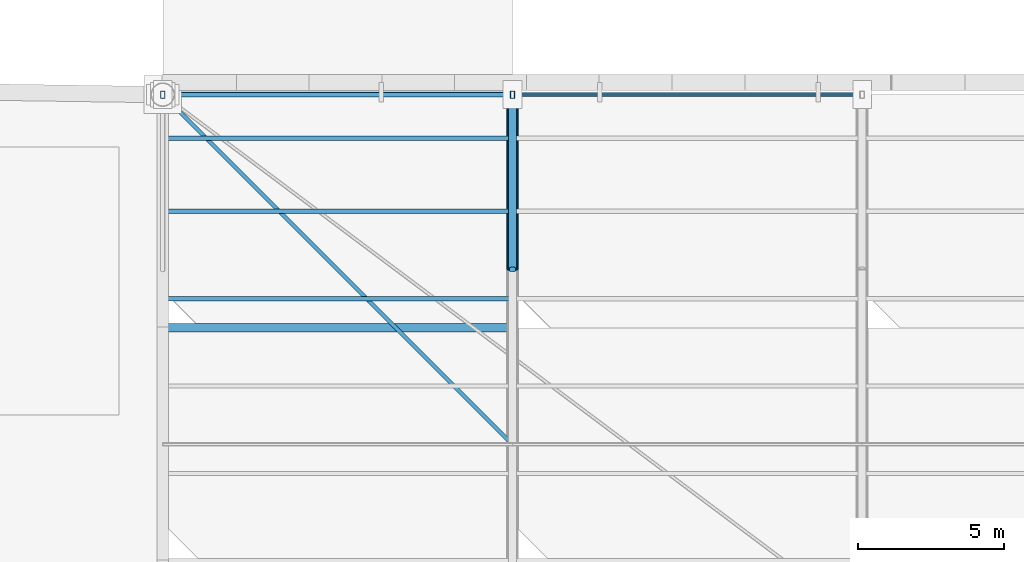
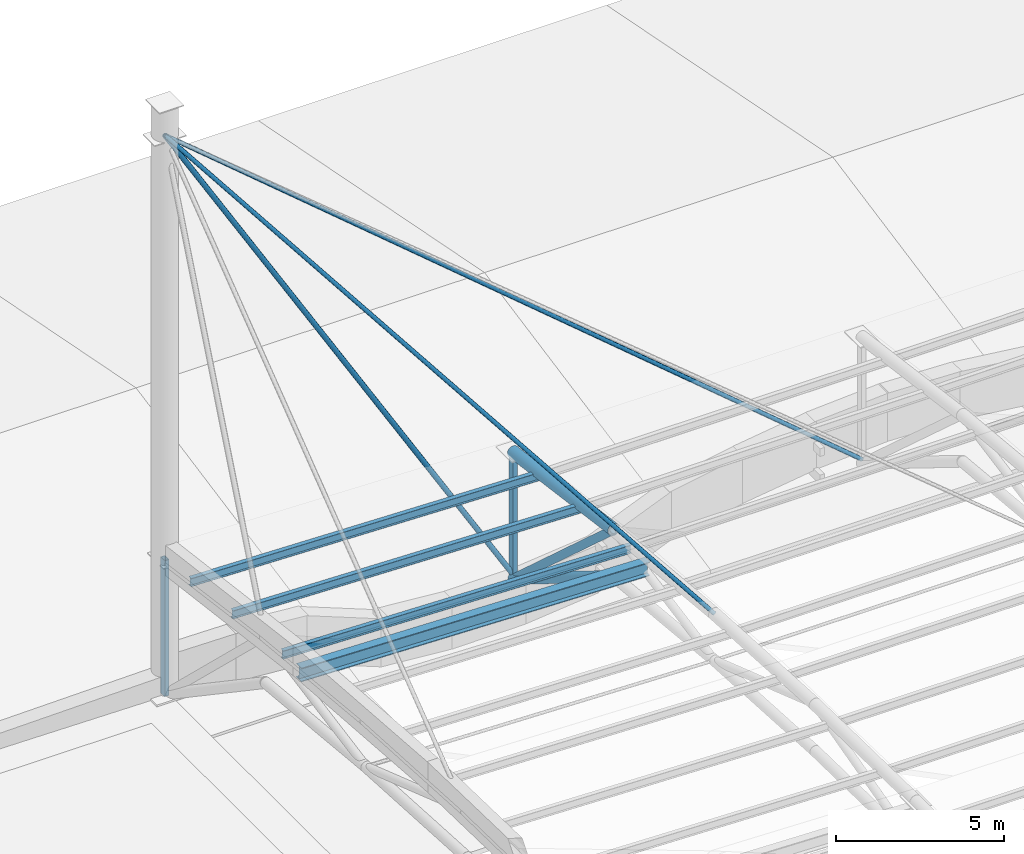
# One storey, part 6 of 29: 11 members, 1 beam.
"""IFC4 building model written with IfcOpenShell, lengths in metres."""

from ifc_helpers import new_model, si_unit, direction, frame, origin, origin_2d, place, context, subcontext, project, spatial, hollow_rectangle, hollow_circle, i_section, extrude, material, material_profile, profile_set, type_object, element, save


model = new_model("IFC4")

# Units and contexts
model_context = context("Model", 3, precision=1e-05, world=origin(), true_north=direction((0.0, 1.0)))
body_context = subcontext(model_context, "Body", "Model", "MODEL_VIEW")
ifc_project = project(units=[si_unit("LENGTHUNIT", "METRE"), si_unit("AREAUNIT", "SQUARE_METRE"), si_unit("VOLUMEUNIT", "CUBIC_METRE"), si_unit("PLANEANGLEUNIT", "RADIAN"), si_unit("MASSUNIT", "GRAM", prefix="KILO")], contexts=[model_context])

# Site, building, storey
site_placement = place(None, origin())
site = spatial("IfcSite", under=ifc_project, at=site_placement, CompositionType="ELEMENT")
building_placement = place(site_placement, origin())
building = spatial("IfcBuilding", under=site, at=building_placement, Name="Keelwater Ferry Terminal", CompositionType="ELEMENT")
storey_placement = place(building_placement, frame((0.0, 0.0, 27.89990234375)))
storey = spatial("IfcBuildingStorey", under=building, at=storey_placement, Name="RF", CompositionType="ELEMENT", Elevation=27.89990234375)

# Members
ifc_material_1 = material(Name="Steel S355", Category="steel")
ifc_material_profile_1 = material_profile(ifc_material_1, hollow_circle(Radius=0.136474609375, WallThickness=0.012451171875, at=origin_2d()), Name="CHS 273x12.5")
ifc_profile_set_1 = profile_set([ifc_material_profile_1], Name="Steel S355")
member_type_1 = type_object("IfcMemberType", Name="BR2 CHS 273x12.5", PredefinedType="BRACE", material=ifc_profile_set_1)
member_1_placement = place(storey_placement, frame((60.0, 84.0, -7.6240234375), z_axis=(0.0, 0.741707352726, -0.670723641235), x_axis=(-1.0, 0.0, 0.0)))
element("IfcMember", 1, at=member_1_placement, inside=storey, type_object=member_type_1, Name="Structural Member MB-RF-0064", PredefinedType="BRACE", context=body_context, shape_type="SweptSolid", body=[
    extrude(hollow_circle(Radius=0.136474609375, WallThickness=0.012451171875, at=origin_2d()), origin(), (0.0, 0.0, 1.0), 8.08935546875),
])
ifc_material_2 = material(Name="Steel S355", Category="steel")
ifc_material_profile_2 = material_profile(ifc_material_2, hollow_rectangle(XDim=0.14990234375, YDim=0.25, WallThickness=0.010009765625, at=origin_2d()), Name="RHS 250x150x10")
ifc_profile_set_2 = profile_set([ifc_material_profile_2], Name="Steel S355")
member_type_2 = type_object("IfcMemberType", Name="BR5 RHS 250x150x10", PredefinedType="BRACE", material=ifc_profile_set_2)
member_2_placement = place(storey_placement, frame((48.0, 90.0, -13.0498046875), z_axis=(0.0, 0.0, 1.0), x_axis=(1.0, 0.0, 0.0)))
element("IfcMember", 2, at=member_2_placement, inside=storey, type_object=member_type_2, Name="Structural Member MB-RF-0002", PredefinedType="BRACE", context=body_context, shape_type="SweptSolid", body=[
    extrude(hollow_rectangle(XDim=0.14990234375, YDim=0.25, WallThickness=0.010009765625, at=origin_2d()), origin(), (0.0, 0.0, 1.0), 4.949951171875),
])
member_3_placement = place(storey_placement, frame((60.0, 90.0, -13.0498046875), z_axis=(0.0, 0.0, 1.0), x_axis=(1.0, 0.0, 0.0)))
element("IfcMember", 3, at=member_3_placement, inside=storey, type_object=member_type_2, Name="Structural Member MB-RF-0034", PredefinedType="BRACE", context=body_context, shape_type="SweptSolid", body=[
    extrude(hollow_rectangle(XDim=0.14990234375, YDim=0.25, WallThickness=0.010009765625, at=origin_2d()), origin(), (0.0, 0.0, 1.0), 4.615966796875),
])

# Beam
ifc_material_3 = material(Name="Steel S355", Category="steel")
ifc_material_profile_3 = material_profile(ifc_material_3, i_section(OverallWidth=0.300048828125, OverallDepth=0.5, WebThickness=0.014404296875, FlangeThickness=0.028076171875, at=origin_2d()), Name="HEB 500")
ifc_profile_set_3 = profile_set([ifc_material_profile_3], Name="Steel S355")
beam_type = type_object("IfcBeamType", Name="G5 HEB 500", PredefinedType="BEAM", material=ifc_profile_set_3)
beam_placement = place(storey_placement, frame((48.0, 82.0, -7.421875), z_axis=(0.999612913888, 0.0, -0.027821257857), x_axis=(0.0, 1.0, 0.0)))
element("IfcBeam", 4, at=beam_placement, inside=storey, type_object=beam_type, Name="Beam BM-RF-1663", PredefinedType="BEAM", context=body_context, shape_type="SweptSolid", body=[
    extrude(i_section(OverallWidth=0.300048828125, OverallDepth=0.5, WebThickness=0.014404296875, FlangeThickness=0.028076171875, at=origin_2d()), origin(), (0.0, 0.0, 1.0), 12.004638671875),
])

# Members
ifc_material_4 = material(Name="Steel S355", Category="steel")
ifc_material_profile_4 = material_profile(ifc_material_4, i_section(OverallWidth=0.14990234375, OverallDepth=0.300048828125, WebThickness=0.007080078125, FlangeThickness=0.0107421875, at=origin_2d()), Name="IPE 300")
ifc_profile_set_4 = profile_set([ifc_material_profile_4], Name="Steel S355")
member_type_3 = type_object("IfcMemberType", Name="PR1 IPE 300", PredefinedType="PURLIN", material=ifc_profile_set_4)
for number, where, z_axis, x_axis, name in (
    (5, (48.0, 83.0, -7.347900390625), (0.999612913888, 0.0, -0.027821257857), (0.0, 1.0, 0.0), "Structural Member MB-RF-0269"),
    (6, (48.0, 86.0, -7.704833984375), (0.999615172935, 0.0, -0.02773997184), (0.0, 1.0, 0.0), "Structural Member MB-RF-0270"),
    (7, (48.0, 88.5, -8.0458984375), (0.999612913888, 0.0, -0.027821257857), (0.0, 1.0, 0.0), "Structural Member MB-RF-0271"),
):
    element("IfcMember", number, at=place(storey_placement, frame(where, z_axis=z_axis, x_axis=x_axis)), inside=storey, type_object=member_type_3, Name=name, PredefinedType="PURLIN", context=body_context, shape_type="SweptSolid", body=[
        extrude(i_section(OverallWidth=0.14990234375, OverallDepth=0.300048828125, WebThickness=0.007080078125, FlangeThickness=0.0107421875, at=origin_2d()), origin(), (0.0, 0.0, 1.0), 12.004638671875),
    ])
ifc_material_5 = material(Name="Steel S460", Category="steel")
ifc_material_profile_5 = material_profile(ifc_material_5, hollow_circle(Radius=0.084228515625, WallThickness=0.012451171875, at=origin_2d()), Name="CHS 168.3x12.5")
ifc_profile_set_5 = profile_set([ifc_material_profile_5], Name="Steel S460")
member_type_4 = type_object("IfcMemberType", Name="SC1E CHS 168.3x12.5", PredefinedType="USERDEFINED", material=ifc_profile_set_5)
member_4_placement = place(storey_placement, frame((48.0, 90.0, 7.300048828125), z_axis=(0.510736326415, 0.0, -0.859737404607), x_axis=(0.0, 1.0, 0.0)))
element("IfcMember", 8, at=member_4_placement, inside=storey, type_object=member_type_4, Name="Structural Member MB-RF-0395", ObjectType="CABLE", PredefinedType="USERDEFINED", context=body_context, shape_type="SweptSolid", body=[
    extrude(hollow_circle(Radius=0.084228515625, WallThickness=0.012451171875, at=origin_2d()), origin(), (0.0, 0.0, 1.0), 23.49560546875),
])
ifc_material_6 = material(Name="Steel S460", Category="steel")
ifc_material_profile_6 = material_profile(ifc_material_6, hollow_circle(Radius=0.06982421875, WallThickness=0.010009765625, at=origin_2d()), Name="CHS 139.7x10")
ifc_profile_set_6 = profile_set([ifc_material_profile_6], Name="Steel S460")
member_type_5 = type_object("IfcMemberType", Name="SC2E CHS 139.7x10", PredefinedType="USERDEFINED", material=ifc_profile_set_6)
member_5_placement = place(storey_placement, frame((48.0, 90.0, 7.300048828125), z_axis=(0.765077272354, 0.0, -0.643938481011), x_axis=(0.0, 1.0, 0.0)))
element("IfcMember", 9, at=member_5_placement, inside=storey, type_object=member_type_5, Name="Structural Member MB-RF-0396", ObjectType="CABLE", PredefinedType="USERDEFINED", context=body_context, shape_type="SweptSolid", body=[
    extrude(hollow_circle(Radius=0.06982421875, WallThickness=0.010009765625, at=origin_2d()), origin(), (0.0, 0.0, 1.0), 31.369384765625),
])
member_6_placement = place(storey_placement, frame((48.0, 90.0, 7.300048828125), z_axis=(0.540011458903, -0.540011458903, -0.645581326021), x_axis=(0.707106781187, 0.707106781187, 0.0)))
element("IfcMember", 10, at=member_6_placement, inside=storey, type_object=member_type_5, Name="Structural Member MB-RF-0397", ObjectType="CABLE", PredefinedType="USERDEFINED", context=body_context, shape_type="SweptSolid", body=[
    extrude(hollow_circle(Radius=0.06982421875, WallThickness=0.010009765625, at=origin_2d()), origin(), (0.0, 0.0, 1.0), 22.2216796875),
])
ifc_material_7 = material(Name="Steel S355", Category="steel")
ifc_material_profile_7 = material_profile(ifc_material_7, hollow_circle(Radius=0.203125, WallThickness=0.01611328125, at=origin_2d()), Name="CHS 406.4x16")
ifc_profile_set_7 = profile_set([ifc_material_profile_7], Name="Steel S355")
member_type_6 = type_object("IfcMemberType", Name="TC1 CHS 406.4x16", PredefinedType="CHORD", material=ifc_profile_set_7)
member_7_placement = place(storey_placement, frame((60.0, 84.0, -7.6240234375), z_axis=(0.0, 0.991014257244, -0.133756278128), x_axis=(-1.0, 0.0, 0.0)))
element("IfcMember", 11, at=member_7_placement, inside=storey, type_object=member_type_6, Name="Structural Member MB-RF-0062", PredefinedType="CHORD", context=body_context, shape_type="SweptSolid", body=[
    extrude(hollow_circle(Radius=0.203125, WallThickness=0.01611328125, at=origin_2d()), origin(), (0.0, 0.0, 1.0), 6.054443359375),
])
ifc_material_8 = material(Name="Steel S355", Category="steel")
ifc_material_profile_8 = material_profile(ifc_material_8, hollow_circle(Radius=0.177734375, WallThickness=0.01611328125, at=origin_2d()), Name="CHS 355.6x16")
ifc_profile_set_8 = profile_set([ifc_material_profile_8], Name="Steel S355")
member_type_7 = type_object("IfcMemberType", Name="TC2 CHS 355.6x16", PredefinedType="CHORD", material=ifc_profile_set_8)
member_8_placement = place(storey_placement, frame((60.0, 84.0, -9.323974609375), z_axis=(0.0, 0.849532796236, -0.527535807428), x_axis=(-1.0, 0.0, 0.0)))
element("IfcMember", 12, at=member_8_placement, inside=storey, type_object=member_type_7, Name="Structural Member MB-RF-0063", PredefinedType="CHORD", context=body_context, shape_type="SweptSolid", body=[
    extrude(hollow_circle(Radius=0.177734375, WallThickness=0.01611328125, at=origin_2d()), origin(), (0.0, 0.0, 1.0), 7.062744140625),
])

save(model, "model.ifc")
